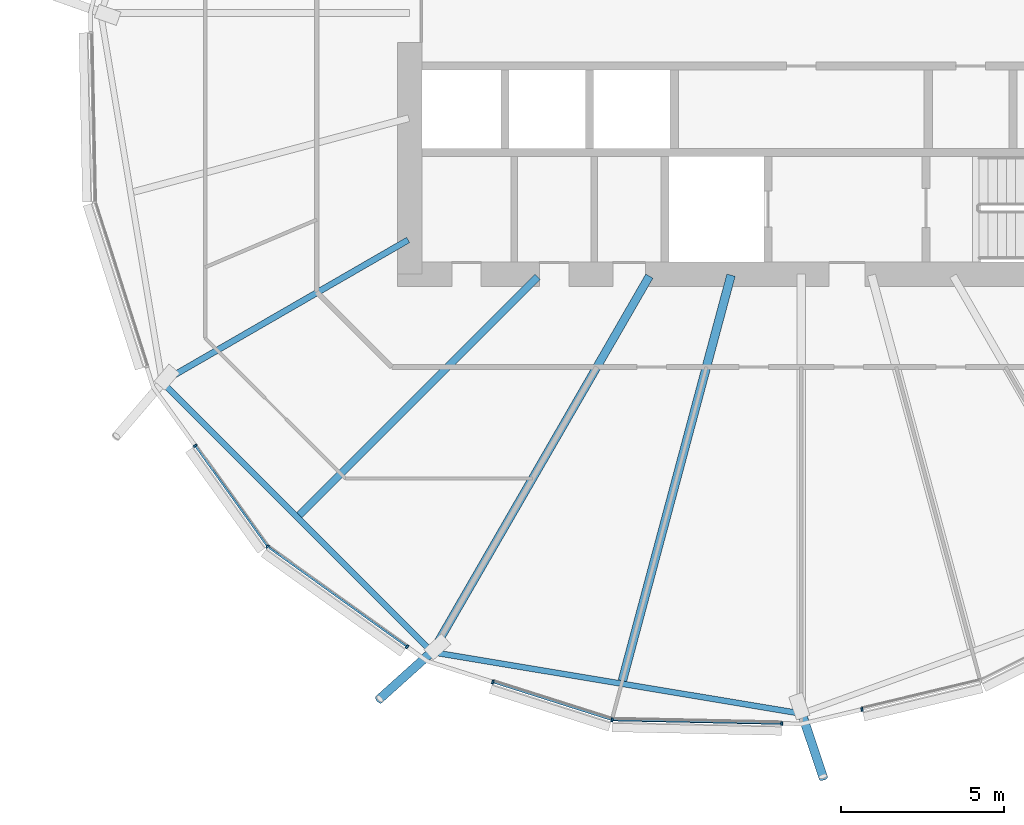
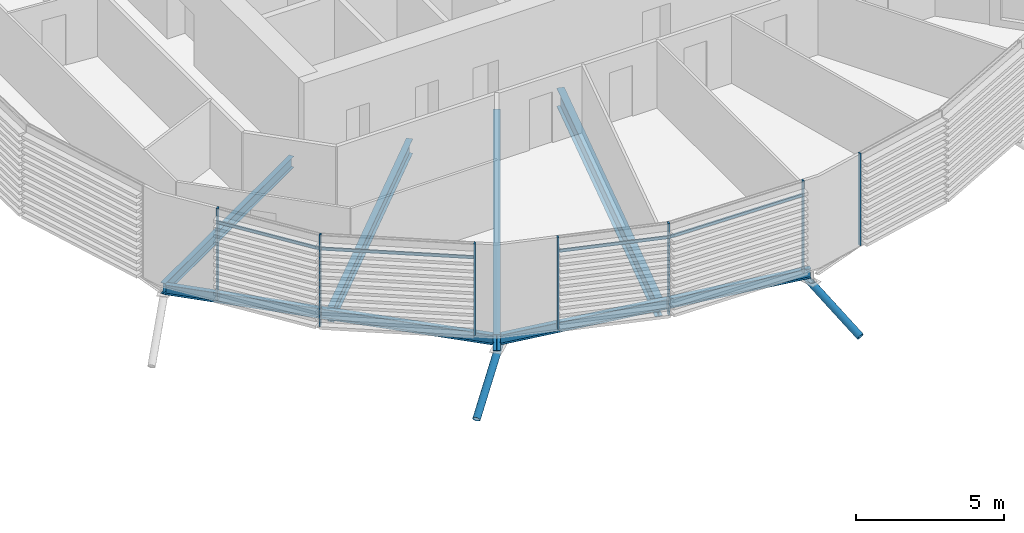
# One storey, part 13 of 38: 13 members, 6 beams, 1 element without a shape of its own.
"""IFC4 building model written with IfcOpenShell, lengths in metres."""

from ifc_helpers import new_model, si_unit, direction, frame, origin, origin_2d, place, context, subcontext, project, spatial, rectangle, hollow_circle, i_section, extrude, clip, halfspace, material, material_profile, profile_set, type_object, element, aggregate, save


model = new_model("IFC4")

# Units and contexts
model_context = context("Model", 3, precision=1e-05, world=origin(), true_north=direction((0.0, 1.0)))
body_context = subcontext(model_context, "Body", "Model", "MODEL_VIEW")
ifc_project = project(units=[si_unit("LENGTHUNIT", "METRE"), si_unit("AREAUNIT", "SQUARE_METRE"), si_unit("VOLUMEUNIT", "CUBIC_METRE"), si_unit("PLANEANGLEUNIT", "RADIAN"), si_unit("MASSUNIT", "GRAM", prefix="KILO")], contexts=[model_context])

# Site, building, storey
site_placement = place(None, origin())
site = spatial("IfcSite", under=ifc_project, at=site_placement, CompositionType="ELEMENT")
building_placement = place(site_placement, origin())
building = spatial("IfcBuilding", under=site, at=building_placement, Name="Rimbun Link Towers", CompositionType="ELEMENT")
storey_placement = place(building_placement, frame((0.0, 0.0, 119.60009765625)))
storey = spatial("IfcBuildingStorey", under=building, at=storey_placement, Name="L29", CompositionType="ELEMENT", Elevation=119.60009765625)

# Curtain wall, members
ifc_material_1 = material(Name="Aluminium 6063-T6 and low-iron glass", Category="aluminium")
curtain_wall_type = type_object("IfcCurtainWallType", Name="CW1-Z2 unitised vision wall (zone 2)", PredefinedType="NOTDEFINED", material=ifc_material_1)
curtain_wall_placement = place(storey_placement, origin())
curtain_wall = element("IfcCurtainWall", 1, at=curtain_wall_placement, inside=storey, type_object=curtain_wall_type, Name="CW1 L29 T2", PredefinedType="NOTDEFINED")
ifc_material_2 = material(Name="Aluminium 6063-T6", Category="aluminium")
ifc_material_profile_1 = material_profile(ifc_material_2, rectangle(XDim=0.1201171875, YDim=0.06005859375, at=origin_2d()), Name="MULLION 60X120")
ifc_profile_set_1 = profile_set([ifc_material_profile_1], Name="Aluminium 6063-T6")
member_type_1 = type_object("IfcMemberType", Name="CW1 mullion 60X120", PredefinedType="MULLION", material=ifc_profile_set_1)
member_1_placement = place(storey_placement, frame((15.39404296875, -16.35595703125, 0.0), z_axis=(0.0, 0.0, 1.0), x_axis=(-0.707106781187, -0.707106781187, 0.0)))
member_1 = element("IfcMember", 2, at=member_1_placement, type_object=member_type_1, Name="CW1 mullion", PredefinedType="MULLION", context=body_context, shape_type="SweptSolid", body=[
    extrude(rectangle(XDim=0.1201171875, YDim=0.06005859375, at=origin_2d()), origin(), (0.0, 0.0, 1.0), 3.7998046875),
])
member_2_placement = place(storey_placement, frame((13.171875, -13.2607421875, 0.0), z_axis=(0.0, 0.0, 1.0), x_axis=(-0.812469264421, -0.583004026034, 0.0)))
member_2 = element("IfcMember", 3, at=member_2_placement, type_object=member_type_1, Name="CW1 mullion", PredefinedType="MULLION", context=body_context, shape_type="SweptSolid", body=[
    extrude(rectangle(XDim=0.1201171875, YDim=0.06005859375, at=origin_2d()), origin(), (0.0, 0.0, 1.0), 3.7998046875),
])
member_3_placement = place(storey_placement, frame((19.667236328125, -19.42333984375, 0.0), z_axis=(0.0, 0.0, 1.0), x_axis=(-0.583004026034, -0.812469264421, 0.0)))
member_3 = element("IfcMember", 4, at=member_3_placement, type_object=member_type_1, Name="CW1 mullion", PredefinedType="MULLION", context=body_context, shape_type="SweptSolid", body=[
    extrude(rectangle(XDim=0.1201171875, YDim=0.06005859375, at=origin_2d()), origin(), (0.0, 0.0, 1.0), 3.7998046875),
])
member_4_placement = place(storey_placement, frame((25.9501953125, -21.66748046875, 0.0), z_axis=(0.0, 0.0, 1.0), x_axis=(-0.163751300484, -0.98650165311, 0.0)))
member_4 = element("IfcMember", 5, at=member_4_placement, type_object=member_type_1, Name="CW1 mullion", PredefinedType="MULLION", context=body_context, shape_type="SweptSolid", body=[
    extrude(rectangle(XDim=0.1201171875, YDim=0.06005859375, at=origin_2d()), origin(), (0.0, 0.0, 1.0), 3.7998046875),
])
member_5_placement = place(storey_placement, frame((22.294677734375, -20.505615234375, 0.0), z_axis=(0.0, 0.0, 1.0), x_axis=(-0.303073433186, -0.952967205153, 0.0)))
member_5 = element("IfcMember", 6, at=member_5_placement, type_object=member_type_1, Name="CW1 mullion", PredefinedType="MULLION", context=body_context, shape_type="SweptSolid", body=[
    extrude(rectangle(XDim=0.1201171875, YDim=0.06005859375, at=origin_2d()), origin(), (0.0, 0.0, 1.0), 3.7998046875),
])
member_6_placement = place(storey_placement, frame((31.14892578125, -21.777587890625, 0.0), z_axis=(0.0, 0.0, 1.0), x_axis=(-0.02106649948, -0.999778076675, 0.0)))
member_6 = element("IfcMember", 7, at=member_6_placement, type_object=member_type_1, Name="CW1 mullion", PredefinedType="MULLION", context=body_context, shape_type="SweptSolid", body=[
    extrude(rectangle(XDim=0.1201171875, YDim=0.06005859375, at=origin_2d()), origin(), (0.0, 0.0, 1.0), 3.7998046875),
])
member_7_placement = place(storey_placement, frame((33.61181640625, -21.3466796875, 0.0), z_axis=(0.0, 0.0, 1.0), x_axis=(0.232603182737, -0.972571724543, 0.0)))
member_7 = element("IfcMember", 8, at=member_7_placement, type_object=member_type_1, Name="CW1 mullion", PredefinedType="MULLION", context=body_context, shape_type="SweptSolid", body=[
    extrude(rectangle(XDim=0.1201171875, YDim=0.06005859375, at=origin_2d()), origin(), (0.0, 0.0, 1.0), 3.7998046875),
])
ifc_material_3 = material(Name="Aluminium 6063-T6", Category="aluminium")
ifc_material_profile_2 = material_profile(ifc_material_3, rectangle(XDim=0.06005859375, YDim=0.1201171875, at=origin_2d()), Name="TRANSOM 60X120")
ifc_profile_set_2 = profile_set([ifc_material_profile_2], Name="Aluminium 6063-T6")
member_type_2 = type_object("IfcMemberType", Name="CW1 transom 60X120", PredefinedType="USERDEFINED", material=ifc_profile_set_2)
member_8_placement = place(storey_placement, frame((15.371826171875, -16.322998046875, 3.199951171875), z_axis=(-0.582990310005, 0.812479106464, 0.0), x_axis=(-0.812479106464, -0.582990310005, 0.0)))
member_8 = element("IfcMember", 9, at=member_8_placement, type_object=member_type_2, Name="CW1 transom", ObjectType="TRANSOM", PredefinedType="USERDEFINED", context=body_context, shape_type="SweptSolid", body=[
    extrude(rectangle(XDim=0.06005859375, YDim=0.1201171875, at=origin_2d()), origin(), (0.0, 0.0, 1.0), 3.740478515625),
])
member_9_placement = place(storey_placement, frame((19.64404296875, -19.404296875, 3.199951171875), z_axis=(-0.812460270019, 0.583016560348, 0.0), x_axis=(-0.583016560348, -0.812460270019, 0.0)))
member_9 = element("IfcMember", 10, at=member_9_placement, type_object=member_type_2, Name="CW1 transom", ObjectType="TRANSOM", PredefinedType="USERDEFINED", context=body_context, shape_type="SweptSolid", body=[
    extrude(rectangle(XDim=0.06005859375, YDim=0.1201171875, at=origin_2d()), origin(), (0.0, 0.0, 1.0), 5.1904296875),
])
member_10_placement = place(storey_placement, frame((25.913818359375, -21.654541015625, 3.199951171875), z_axis=(-0.952960668818, 0.303093984907, 0.0), x_axis=(-0.303093984907, -0.952960668818, 0.0)))
member_10 = element("IfcMember", 11, at=member_10_placement, type_object=member_type_2, Name="CW1 transom", ObjectType="TRANSOM", PredefinedType="USERDEFINED", context=body_context, shape_type="SweptSolid", body=[
    extrude(rectangle(XDim=0.06005859375, YDim=0.1201171875, at=origin_2d()), origin(), (0.0, 0.0, 1.0), 3.767333984375),
])
member_11_placement = place(storey_placement, frame((31.118896484375, -21.77490234375, 3.199951171875), z_axis=(-0.999778846236, 0.02102994575, 0.0), x_axis=(-0.02102994575, -0.999778846236, 0.0)))
member_11 = element("IfcMember", 12, at=member_11_placement, type_object=member_type_2, Name="CW1 transom", ObjectType="TRANSOM", PredefinedType="USERDEFINED", context=body_context, shape_type="SweptSolid", body=[
    extrude(rectangle(XDim=0.06005859375, YDim=0.1201171875, at=origin_2d()), origin(), (0.0, 0.0, 1.0), 5.13134765625),
])
aggregate(curtain_wall, [member_1, member_2, member_3, member_4, member_5, member_6, member_7, member_8, member_9, member_10, member_11])

# Members
ifc_material_4 = material(Name="Steel S355J2H", Category="steel")
ifc_material_profile_3 = material_profile(ifc_material_4, hollow_circle(Radius=0.136474609375, WallThickness=0.012451171875, at=origin_2d()), Name="CHS 273x12.5")
ifc_profile_set_3 = profile_set([ifc_material_profile_3], Name="Steel S355J2H")
member_type_3 = type_object("IfcMemberType", Name="Floor edge link CHS 273x12.5", PredefinedType="BRACE", material=ifc_profile_set_3)
member_12_placement = place(storey_placement, frame((20.464599609375, -19.547119140625, -0.96240234375), z_axis=(-0.649584096546, -0.584616174751, -0.486070395863), x_axis=(0.668958718088, -0.743299558384, 0.0)))
element("IfcMember", 13, at=member_12_placement, inside=storey, type_object=member_type_3, Name="Floor edge link T2 L29 13", PredefinedType="BRACE", context=body_context, shape_type="Clipping", body=[
    clip(extrude(hollow_circle(Radius=0.136474609375, WallThickness=0.012451171875, at=origin_2d()), frame((0.0, 0.0, -0.511474609375)), (0.0, 0.0, 1.0), 3.078125), halfspace(frame((0.0, 0.0, -0.240234375), z_axis=(0.0, 0.873919658931, -0.486070395863)), False)),
])
member_13_placement = place(storey_placement, frame((31.75, -21.423095703125, -0.96337890625), z_axis=(0.28013410767, -0.835265020064, -0.473135528128), x_axis=(0.948098556468, 0.317976614271, 0.0)))
element("IfcMember", 14, at=member_13_placement, inside=storey, type_object=member_type_3, Name="Floor edge link T2 L29 15", PredefinedType="BRACE", context=body_context, shape_type="Clipping", body=[
    clip(extrude(hollow_circle(Radius=0.136474609375, WallThickness=0.012451171875, at=origin_2d()), frame((0.0, 0.0, -0.529296875)), (0.0, 0.0, 1.0), 2.953125), halfspace(frame((0.0, 0.0, -0.2490234375), z_axis=(0.0, 0.88098965489, -0.473135528128)), False)),
])

# Beams
ifc_material_5 = material(Name="Steel S355J2", Category="steel")
ifc_material_profile_4 = material_profile(ifc_material_5, i_section(OverallWidth=0.177978515625, OverallDepth=0.406494140625, WebThickness=0.0078125, FlangeThickness=0.0126953125, at=origin_2d()), Name="UB 406x178x60")
ifc_profile_set_4 = profile_set([ifc_material_profile_4], Name="Steel S355J2")
beam_type_1 = type_object("IfcBeamType", Name="UB 406x178x60", PredefinedType="BEAM", material=ifc_profile_set_4)
beam_1_placement = place(storey_placement, frame((12.22998046875, -11.380615234375, -0.36328125), z_axis=(0.707106781187, -0.707106781187, 0.0), x_axis=(0.707106781187, 0.707106781187, 0.0)))
element("IfcBeam", 15, at=beam_1_placement, inside=storey, type_object=beam_type_1, Name="Edge beam T2 L29 11-13", PredefinedType="BEAM", context=body_context, shape_type="SweptSolid", body=[
    extrude(i_section(OverallWidth=0.177978515625, OverallDepth=0.406494140625, WebThickness=0.0078125, FlangeThickness=0.0126953125, at=origin_2d()), origin(), (0.0, 0.0, 1.0), 11.477783203125),
])
beam_2_placement = place(storey_placement, frame((20.57421875, -19.61279296875, -0.36328125), z_axis=(0.986426307152, -0.164204569239, 0.0), x_axis=(0.164204569239, 0.986426307152, 0.0)))
element("IfcBeam", 16, at=beam_2_placement, inside=storey, type_object=beam_type_1, Name="Edge beam T2 L29 13-15", PredefinedType="BEAM", context=body_context, shape_type="SweptSolid", body=[
    extrude(i_section(OverallWidth=0.177978515625, OverallDepth=0.406494140625, WebThickness=0.0078125, FlangeThickness=0.0126953125, at=origin_2d()), origin(), (0.0, 0.0, 1.0), 11.2001953125),
])
ifc_material_6 = material(Name="Steel S355J2", Category="steel")
ifc_material_profile_5 = material_profile(ifc_material_6, i_section(OverallWidth=0.18994140625, OverallDepth=0.453369140625, WebThickness=0.008544921875, FlangeThickness=0.0126953125, at=origin_2d()), Name="UB 457x191x67")
ifc_profile_set_5 = profile_set([ifc_material_profile_5], Name="Steel S355J2")
beam_type_2 = type_object("IfcBeamType", Name="UB 457x191x67", PredefinedType="BEAM", material=ifc_profile_set_5)
beam_3_placement = place(storey_placement, frame((19.70166015625, -6.9560546875, -0.38671875), z_axis=(-0.866031528113, -0.499989392202, 0.0), x_axis=(0.499989392202, -0.866031528113, 0.0)))
element("IfcBeam", 17, at=beam_3_placement, inside=storey, type_object=beam_type_2, Name="Radial beam T2 L29 11", PredefinedType="BEAM", context=body_context, shape_type="SweptSolid", body=[
    extrude(i_section(OverallWidth=0.18994140625, OverallDepth=0.453369140625, WebThickness=0.008544921875, FlangeThickness=0.0126953125, at=origin_2d()), origin(), (0.0, 0.0, 1.0), 8.708740234375),
])
ifc_material_7 = material(Name="Steel S355J2", Category="steel")
ifc_material_profile_6 = material_profile(ifc_material_7, i_section(OverallWidth=0.2275390625, OverallDepth=0.6025390625, WebThickness=0.010498046875, FlangeThickness=0.014892578125, at=origin_2d()), Name="UB 610x229x101")
ifc_profile_set_6 = profile_set([ifc_material_profile_6], Name="Steel S355J2")
beam_type_3 = type_object("IfcBeamType", Name="UB 610x229x101", PredefinedType="BEAM", material=ifc_profile_set_6)
beam_4_placement = place(storey_placement, frame((23.668701171875, -8.081298828125, -0.46142578125), z_axis=(-0.707106781187, -0.707106781187, 0.0), x_axis=(0.707106781187, -0.707106781187, 0.0)))
element("IfcBeam", 18, at=beam_4_placement, inside=storey, type_object=beam_type_3, Name="Radial beam T2 L29 12", PredefinedType="BEAM", context=body_context, shape_type="SweptSolid", body=[
    extrude(i_section(OverallWidth=0.2275390625, OverallDepth=0.6025390625, WebThickness=0.010498046875, FlangeThickness=0.014892578125, at=origin_2d()), origin(), (0.0, 0.0, 1.0), 10.33154296875),
])
ifc_material_8 = material(Name="Steel S355J2", Category="steel")
ifc_material_profile_7 = material_profile(ifc_material_8, i_section(OverallWidth=0.253662109375, OverallDepth=0.68359375, WebThickness=0.012451171875, FlangeThickness=0.01904296875, at=origin_2d()), Name="UB 686x254x140")
ifc_profile_set_7 = profile_set([ifc_material_profile_7], Name="Steel S355J2")
beam_type_4 = type_object("IfcBeamType", Name="UB 686x254x140", PredefinedType="BEAM", material=ifc_profile_set_7)
beam_5_placement = place(storey_placement, frame((27.093994140625, -8.064208984375, -0.501953125), z_axis=(-0.499982340756, -0.866035599114, 0.0), x_axis=(0.866035599114, -0.499982340756, 0.0)))
element("IfcBeam", 19, at=beam_5_placement, inside=storey, type_object=beam_type_4, Name="Radial beam T2 L29 13", PredefinedType="BEAM", context=body_context, shape_type="SweptSolid", body=[
    extrude(i_section(OverallWidth=0.253662109375, OverallDepth=0.68359375, WebThickness=0.012451171875, FlangeThickness=0.01904296875, at=origin_2d()), origin(), (0.0, 0.0, 1.0), 13.30908203125),
])
ifc_material_9 = material(Name="Steel S355J2", Category="steel")
ifc_material_profile_8 = material_profile(ifc_material_9, i_section(OverallWidth=0.2666015625, OverallDepth=0.76220703125, WebThickness=0.014404296875, FlangeThickness=0.021484375, at=origin_2d()), Name="UB 762x267x173")
ifc_profile_set_8 = profile_set([ifc_material_profile_8], Name="Steel S355J2")
beam_type_5 = type_object("IfcBeamType", Name="UB 762x267x173", PredefinedType="BEAM", material=ifc_profile_set_8)
beam_6_placement = place(storey_placement, frame((29.596923828125, -8.035400390625, -0.541259765625), z_axis=(-0.258816984012, -0.965926378554, 0.0), x_axis=(0.965926378554, -0.258816984012, 0.0)))
element("IfcBeam", 20, at=beam_6_placement, inside=storey, type_object=beam_type_5, Name="Radial beam T2 L29 14", PredefinedType="BEAM", context=body_context, shape_type="SweptSolid", body=[
    extrude(i_section(OverallWidth=0.2666015625, OverallDepth=0.76220703125, WebThickness=0.014404296875, FlangeThickness=0.021484375, at=origin_2d()), origin(), (0.0, 0.0, 1.0), 12.872314453125),
])

save(model, "model.ifc")
